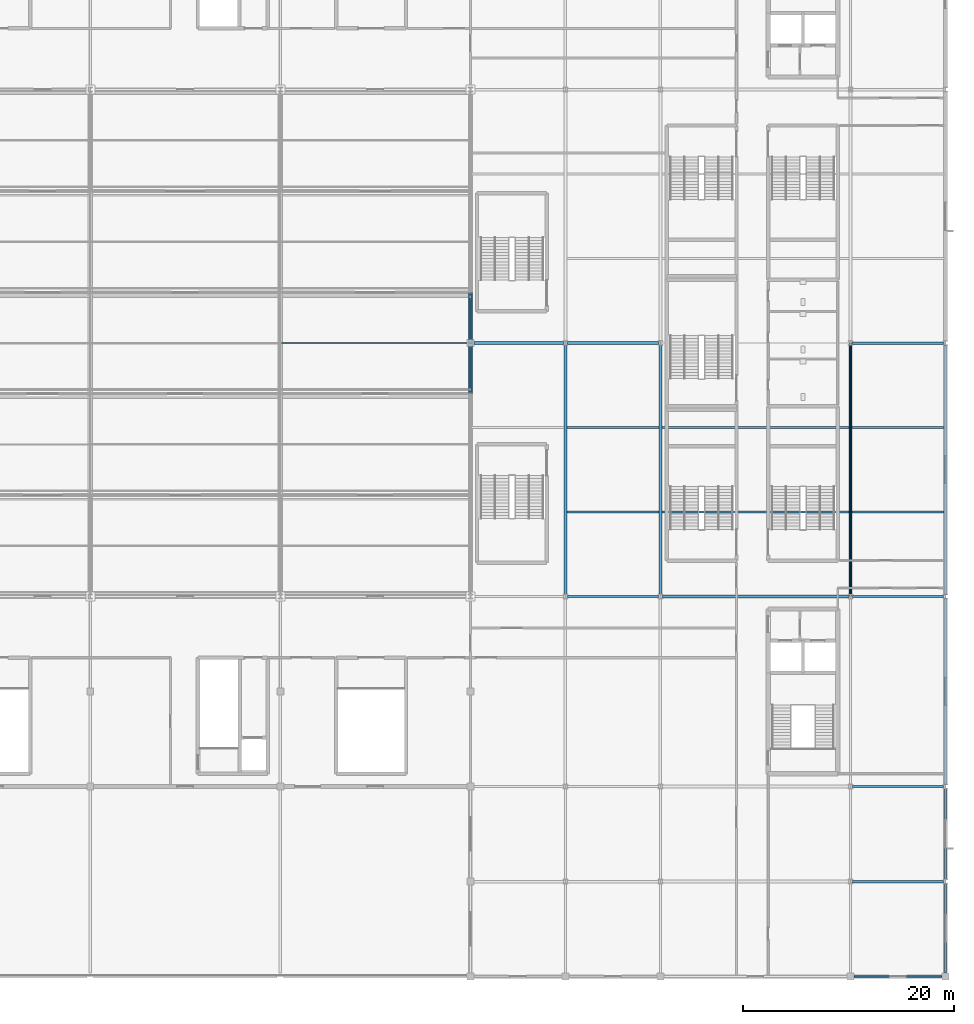
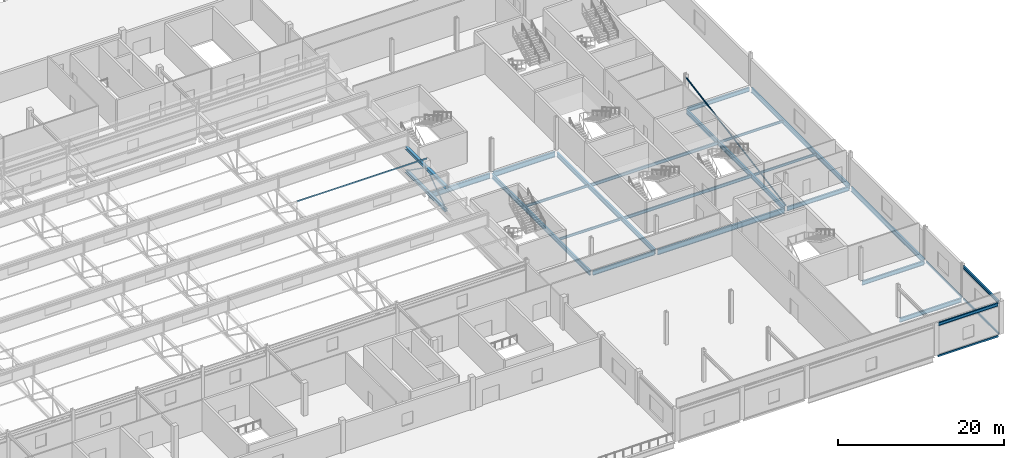
# One storey, part 68 of 136: 28 beams, 4 members.
"""IFC4 building model written with IfcOpenShell, lengths in metres."""

from ifc_helpers import new_model, si_unit, direction, frame, origin, origin_2d, place, context, subcontext, project, spatial, hollow_rectangle, hollow_circle, i_section, u_section, extrude, material, material_profile, profile_set, type_object, element, save


model = new_model("IFC4")

# Units and contexts
model_context = context("Model", 3, precision=1e-05, world=origin(), true_north=direction((0.0, 1.0)))
body_context = subcontext(model_context, "Body", "Model", "MODEL_VIEW")
ifc_project = project(units=[si_unit("LENGTHUNIT", "METRE"), si_unit("AREAUNIT", "SQUARE_METRE"), si_unit("VOLUMEUNIT", "CUBIC_METRE"), si_unit("PLANEANGLEUNIT", "RADIAN"), si_unit("MASSUNIT", "GRAM", prefix="KILO")], contexts=[model_context])

# Site, building, storey
site_placement = place(None, origin())
site = spatial("IfcSite", under=ifc_project, at=site_placement, CompositionType="ELEMENT")
building_placement = place(site_placement, origin())
building = spatial("IfcBuilding", under=site, at=building_placement, Name="Kisiwana Market Hall", CompositionType="ELEMENT")
storey_placement = place(building_placement, frame((0.0, 0.0, 16.800048828125)))
storey = spatial("IfcBuildingStorey", under=building, at=storey_placement, Name="L03", CompositionType="ELEMENT", Elevation=16.800048828125)

# Beams
ifc_material_1 = material(Name="Steel S355", Category="steel")
ifc_material_profile_1 = material_profile(ifc_material_1, i_section(OverallWidth=0.19140625, OverallDepth=0.4599609375, WebThickness=0.010009765625, FlangeThickness=0.01611328125, at=origin_2d()), Name="UB 457x191x82")
ifc_profile_set_1 = profile_set([ifc_material_profile_1], Name="Steel S355")
beam_type_1 = type_object("IfcBeamType", Name="BM-GIRD-UB457H", PredefinedType="BEAM", material=ifc_profile_set_1)
beam_1_placement = place(storey_placement, frame((189.321044921875, 0.0, 4.27783203125), z_axis=(1.0, 0.0, 0.0), x_axis=(0.0, 1.0, 0.0)))
element("IfcBeam", 1, at=beam_1_placement, inside=storey, type_object=beam_type_1, Name="Roof girder B-1122", PredefinedType="BEAM", context=body_context, shape_type="SweptSolid", body=[
    extrude(i_section(OverallWidth=0.19140625, OverallDepth=0.4599609375, WebThickness=0.010009765625, FlangeThickness=0.01611328125, at=origin_2d()), origin(), (0.0, 0.0, 1.0), 8.35791015625),
])
beam_2_placement = place(storey_placement, frame((198.0, 0.321044921875, 4.27783203125), z_axis=(0.0, 1.0, 0.0), x_axis=(-1.0, 0.0, 0.0)))
element("IfcBeam", 2, at=beam_2_placement, inside=storey, type_object=beam_type_1, Name="Roof girder B-1127", PredefinedType="BEAM", context=body_context, shape_type="SweptSolid", body=[
    extrude(i_section(OverallWidth=0.19140625, OverallDepth=0.4599609375, WebThickness=0.010009765625, FlangeThickness=0.01611328125, at=origin_2d()), origin(), (0.0, 0.0, 1.0), 8.486083984375),
])
ifc_material_2 = material(Name="Steel S355", Category="steel")
ifc_material_profile_2 = material_profile(ifc_material_2, i_section(OverallWidth=0.22900390625, OverallDepth=0.6123046875, WebThickness=0.011962890625, FlangeThickness=0.01953125, at=origin_2d()), Name="UB 610x229x125")
ifc_profile_set_2 = profile_set([ifc_material_profile_2], Name="Steel S355")
beam_type_2 = type_object("IfcBeamType", Name="BM-GIRD-UB610H", PredefinedType="BEAM", material=ifc_profile_set_2)
beam_3_placement = place(storey_placement, frame((189.195556640625, 9.0, -0.55615234375), z_axis=(1.0, 0.0, 0.0), x_axis=(0.0, 1.0, 0.0)))
element("IfcBeam", 3, at=beam_3_placement, inside=storey, type_object=beam_type_2, Name="Floor beam B-0992", PredefinedType="BEAM", context=body_context, shape_type="SweptSolid", body=[
    extrude(i_section(OverallWidth=0.22900390625, OverallDepth=0.6123046875, WebThickness=0.011962890625, FlangeThickness=0.01953125, at=origin_2d()), origin(), (0.0, 0.0, 1.0), 8.60888671875),
])
for number, where, z_axis, x_axis, name in (
    (4, (189.198974609375, 18.0, -0.55615234375), (1.0, 0.0, 0.0), (0.0, 1.0, 0.0), "Floor beam B-1006"),
    (5, (162.198974609375, 36.0, -0.55615234375), (1.0, 0.0, 0.0), (0.0, 1.0, 0.0), "Floor beam B-1020"),
    (6, (189.198974609375, 36.0, -0.55615234375), (1.0, 0.0, 0.0), (0.0, 1.0, 0.0), "Floor beam B-1022"),
    (7, (189.198974609375, 60.0, -0.55615234375), (1.0, 0.0, 0.0), (0.0, 1.0, 0.0), "Primary girder B-0852"),
):
    element("IfcBeam", number, at=place(storey_placement, frame(where, z_axis=z_axis, x_axis=x_axis)), inside=storey, type_object=beam_type_2, Name=name, PredefinedType="BEAM", context=body_context, shape_type="SweptSolid", body=[
        extrude(i_section(OverallWidth=0.22900390625, OverallDepth=0.6123046875, WebThickness=0.011962890625, FlangeThickness=0.01953125, at=origin_2d()), origin(), (0.0, 0.0, 1.0), 8.60205078125),
    ])
ifc_material_3 = material(Name="Steel S355", Category="steel")
ifc_material_profile_3 = material_profile(ifc_material_3, i_section(OverallWidth=0.253662109375, OverallDepth=0.68359375, WebThickness=0.012451171875, FlangeThickness=0.01904296875, at=origin_2d()), Name="UB 686x254x140")
ifc_profile_set_3 = profile_set([ifc_material_profile_3], Name="Steel S355")
beam_type_3 = type_object("IfcBeamType", Name="BM-GIRD-UB686", PredefinedType="BEAM", material=ifc_profile_set_3)
beam_4_placement = place(storey_placement, frame((171.0, 36.2041015625, -0.591796875), z_axis=(0.0, 1.0, 0.0), x_axis=(-1.0, 0.0, 0.0)))
element("IfcBeam", 8, at=beam_4_placement, inside=storey, type_object=beam_type_3, Name="Floor beam B-1091", PredefinedType="BEAM", context=body_context, shape_type="SweptSolid", body=[
    extrude(i_section(OverallWidth=0.253662109375, OverallDepth=0.68359375, WebThickness=0.012451171875, FlangeThickness=0.01904296875, at=origin_2d()), origin(), (0.0, 0.0, 1.0), 23.591796875),
])
beam_5_placement = place(storey_placement, frame((198.0, 18.2041015625, -0.591796875), z_axis=(0.0, 1.0, 0.0), x_axis=(-1.0, 0.0, 0.0)))
element("IfcBeam", 9, at=beam_5_placement, inside=storey, type_object=beam_type_3, Name="Floor beam B-1095", PredefinedType="BEAM", context=body_context, shape_type="SweptSolid", body=[
    extrude(i_section(OverallWidth=0.253662109375, OverallDepth=0.68359375, WebThickness=0.012451171875, FlangeThickness=0.01904296875, at=origin_2d()), origin(), (0.0, 0.0, 1.0), 17.591796875),
])
for number, where, z_axis, x_axis, name in (
    (10, (198.0, 36.2041015625, -0.591796875), (0.0, 1.0, 0.0), (-1.0, 0.0, 0.0), "Floor beam B-1096"),
    (11, (162.0, 36.2041015625, -0.591796875), (0.0, 1.0, 0.0), (-1.0, 0.0, 0.0), "Primary girder B-0924"),
    (12, (189.0, 36.2041015625, -0.591796875), (0.0, 1.0, 0.0), (-1.0, 0.0, 0.0), "Primary girder B-0938"),
):
    element("IfcBeam", number, at=place(storey_placement, frame(where, z_axis=z_axis, x_axis=x_axis)), inside=storey, type_object=beam_type_3, Name=name, PredefinedType="BEAM", context=body_context, shape_type="SweptSolid", body=[
        extrude(i_section(OverallWidth=0.253662109375, OverallDepth=0.68359375, WebThickness=0.012451171875, FlangeThickness=0.01904296875, at=origin_2d()), origin(), (0.0, 0.0, 1.0), 23.591796875),
    ])
ifc_material_4 = material(Name="Steel S355", Category="steel")
ifc_material_profile_4 = material_profile(ifc_material_4, i_section(OverallWidth=0.2666015625, OverallDepth=0.76220703125, WebThickness=0.014404296875, FlangeThickness=0.021484375, at=origin_2d()), Name="UB 762x267x173")
ifc_profile_set_4 = profile_set([ifc_material_profile_4], Name="Steel S355")
beam_type_4 = type_object("IfcBeamType", Name="BM-GIRD-UB762", PredefinedType="BEAM", material=ifc_profile_set_4)
beam_6_placement = place(storey_placement, frame((171.198974609375, 36.0, -0.631103515625), z_axis=(1.0, 0.0, 0.0), x_axis=(0.0, 1.0, 0.0)))
element("IfcBeam", 13, at=beam_6_placement, inside=storey, type_object=beam_type_4, Name="Floor beam B-1021", PredefinedType="BEAM", context=body_context, shape_type="SweptSolid", body=[
    extrude(i_section(OverallWidth=0.2666015625, OverallDepth=0.76220703125, WebThickness=0.014404296875, FlangeThickness=0.021484375, at=origin_2d()), origin(), (0.0, 0.0, 1.0), 17.60205078125),
])
beam_7_placement = place(storey_placement, frame((153.321044921875, 60.0, -0.631103515625), z_axis=(1.0, 0.0, 0.0), x_axis=(0.0, 1.0, 0.0)))
element("IfcBeam", 14, at=beam_7_placement, inside=storey, type_object=beam_type_4, Name="Floor beam B-1024", PredefinedType="BEAM", context=body_context, shape_type="SweptSolid", body=[
    extrude(i_section(OverallWidth=0.2666015625, OverallDepth=0.76220703125, WebThickness=0.014404296875, FlangeThickness=0.021484375, at=origin_2d()), origin(), (0.0, 0.0, 1.0), 8.47998046875),
])
beam_8_placement = place(storey_placement, frame((162.198974609375, 60.0, -0.631103515625), z_axis=(1.0, 0.0, 0.0), x_axis=(0.0, 1.0, 0.0)))
element("IfcBeam", 15, at=beam_8_placement, inside=storey, type_object=beam_type_4, Name="Floor beam B-0850", PredefinedType="BEAM", context=body_context, shape_type="SweptSolid", body=[
    extrude(i_section(OverallWidth=0.2666015625, OverallDepth=0.76220703125, WebThickness=0.014404296875, FlangeThickness=0.021484375, at=origin_2d()), origin(), (0.0, 0.0, 1.0), 8.60205078125),
])
ifc_material_5 = material(Name="Steel S355", Category="steel")
ifc_material_profile_5 = material_profile(ifc_material_5, i_section(OverallWidth=0.17138671875, OverallDepth=0.35498046875, WebThickness=0.00732421875, FlangeThickness=0.011474609375, at=origin_2d()), Name="UB 356x171x51")
ifc_profile_set_5 = profile_set([ifc_material_profile_5], Name="Steel S355")
beam_type_5 = type_object("IfcBeamType", Name="BM-JOIST-UB356", PredefinedType="JOIST", material=ifc_profile_set_5)
for number, where, z_axis, x_axis, name in (
    (16, (162.125732421875, 44.0, -0.427490234375), (1.0, 0.0, 0.0), (0.0, 1.0, 0.0), "Secondary floor joist B-0946"),
    (17, (189.125732421875, 44.0, -0.427490234375), (1.0, 0.0, 0.0), (0.0, 1.0, 0.0), "Secondary floor joist B-0948"),
    (18, (162.125732421875, 52.0, -0.427490234375), (1.0, 0.0, 0.0), (0.0, 1.0, 0.0), "Secondary floor joist B-0954"),
    (19, (189.125732421875, 52.0, -0.427490234375), (1.0, 0.0, 0.0), (0.0, 1.0, 0.0), "Secondary floor joist B-0956"),
):
    element("IfcBeam", number, at=place(storey_placement, frame(where, z_axis=z_axis, x_axis=x_axis)), inside=storey, type_object=beam_type_5, Name=name, PredefinedType="JOIST", context=body_context, shape_type="SweptSolid", body=[
        extrude(i_section(OverallWidth=0.17138671875, OverallDepth=0.35498046875, WebThickness=0.00732421875, FlangeThickness=0.011474609375, at=origin_2d()), origin(), (0.0, 0.0, 1.0), 8.74853515625),
    ])
ifc_material_6 = material(Name="Steel S355", Category="steel")
ifc_material_profile_6 = material_profile(ifc_material_6, i_section(OverallWidth=0.18994140625, OverallDepth=0.453369140625, WebThickness=0.008544921875, FlangeThickness=0.0126953125, at=origin_2d()), Name="UB 457x191x67")
ifc_profile_set_6 = profile_set([ifc_material_profile_6], Name="Steel S355")
beam_type_6 = type_object("IfcBeamType", Name="BM-JOIST-UB457", PredefinedType="JOIST", material=ifc_profile_set_6)
for number, where, z_axis, x_axis, name in (
    (20, (171.125732421875, 44.0, -0.476806640625), (1.0, 0.0, 0.0), (0.0, 1.0, 0.0), "Secondary floor joist B-0947"),
    (21, (171.125732421875, 52.0, -0.476806640625), (1.0, 0.0, 0.0), (0.0, 1.0, 0.0), "Secondary floor joist B-0955"),
):
    element("IfcBeam", number, at=place(storey_placement, frame(where, z_axis=z_axis, x_axis=x_axis)), inside=storey, type_object=beam_type_6, Name=name, PredefinedType="JOIST", context=body_context, shape_type="SweptSolid", body=[
        extrude(i_section(OverallWidth=0.18994140625, OverallDepth=0.453369140625, WebThickness=0.008544921875, FlangeThickness=0.0126953125, at=origin_2d()), origin(), (0.0, 0.0, 1.0), 17.74853515625),
    ])
ifc_material_7 = material(Name="Steel S355", Category="steel")
ifc_material_profile_7 = material_profile(ifc_material_7, hollow_rectangle(XDim=0.14990234375, YDim=0.25, WallThickness=0.010009765625, at=origin_2d()), Name="RHS 250x150x10.0")
ifc_profile_set_7 = profile_set([ifc_material_profile_7], Name="Steel S355")
beam_type_7 = type_object("IfcBeamType", Name="BM-SPAN-RHS250", PredefinedType="SPANDREL", material=ifc_profile_set_7)
beam_9_placement = place(storey_placement, frame((189.321044921875, 0.0, -0.375), z_axis=(1.0, 0.0, 0.0), x_axis=(0.0, 1.0, 0.0)))
element("IfcBeam", 22, at=beam_9_placement, inside=storey, type_object=beam_type_7, Name="Floor beam B-0984", PredefinedType="SPANDREL", context=body_context, shape_type="SweptSolid", body=[
    extrude(hollow_rectangle(XDim=0.14990234375, YDim=0.25, WallThickness=0.010009765625, at=origin_2d()), origin(), (0.0, 0.0, 1.0), 8.35791015625),
])
beam_10_placement = place(storey_placement, frame((198.0, 0.321044921875, -0.375), z_axis=(0.0, 1.0, 0.0), x_axis=(-1.0, 0.0, 0.0)))
element("IfcBeam", 23, at=beam_10_placement, inside=storey, type_object=beam_type_7, Name="Floor beam B-1093", PredefinedType="SPANDREL", context=body_context, shape_type="SweptSolid", body=[
    extrude(hollow_rectangle(XDim=0.14990234375, YDim=0.25, WallThickness=0.010009765625, at=origin_2d()), origin(), (0.0, 0.0, 1.0), 8.486083984375),
])
beam_11_placement = place(storey_placement, frame((198.0, 9.19287109375, -0.375), z_axis=(0.0, 1.0, 0.0), x_axis=(-1.0, 0.0, 0.0)))
element("IfcBeam", 24, at=beam_11_placement, inside=storey, type_object=beam_type_7, Name="Floor beam B-1094", PredefinedType="SPANDREL", context=body_context, shape_type="SweptSolid", body=[
    extrude(hollow_rectangle(XDim=0.14990234375, YDim=0.25, WallThickness=0.010009765625, at=origin_2d()), origin(), (0.0, 0.0, 1.0), 8.60302734375),
])
ifc_material_8 = material(Name="Steel S355", Category="steel")
ifc_material_profile_8 = material_profile(ifc_material_8, i_section(OverallWidth=0.394775390625, OverallDepth=0.381103515625, WebThickness=0.018310546875, FlangeThickness=0.0302734375, at=origin_2d()), Name="UC 356x406x235")
ifc_profile_set_8 = profile_set([ifc_material_profile_8], Name="Steel S355")
beam_type_8 = type_object("IfcBeamType", Name="BM-TRUSS-BOT", PredefinedType="USERDEFINED", material=ifc_profile_set_8)
for number, where, z_axis, x_axis, name in (
    (25, (153.0, 55.199951171875, 0.22998046875), (0.0, 1.0, 0.0), (-1.0, 0.0, 0.0), "TR-08 BC panel 5 B-1322"),
    (26, (153.0, 60.0, 0.22998046875), (0.0, 1.0, 0.0), (-1.0, 0.0, 0.0), "TR-08 BC panel 6 B-1323"),
):
    element("IfcBeam", number, at=place(storey_placement, frame(where, z_axis=z_axis, x_axis=x_axis)), inside=storey, type_object=beam_type_8, Name=name, ObjectType="ROOF TRUSS", PredefinedType="USERDEFINED", context=body_context, shape_type="SweptSolid", body=[
        extrude(i_section(OverallWidth=0.394775390625, OverallDepth=0.381103515625, WebThickness=0.018310546875, FlangeThickness=0.0302734375, at=origin_2d()), origin(), (0.0, 0.0, 1.0), 4.800048828125),
    ])
ifc_material_9 = material(Name="Steel S355", Category="steel")
ifc_material_profile_9 = material_profile(ifc_material_9, i_section(OverallWidth=0.39892578125, OverallDepth=0.3935546875, WebThickness=0.022705078125, FlangeThickness=0.03662109375, at=origin_2d()), Name="UC 356x406x287")
ifc_profile_set_9 = profile_set([ifc_material_profile_9], Name="Steel S355")
beam_type_9 = type_object("IfcBeamType", Name="BM-TRUSS-TOP", PredefinedType="USERDEFINED", material=ifc_profile_set_9)
for number, where, z_axis, x_axis, name in (
    (27, (153.0, 55.199951171875, 3.619873046875), (0.0, 1.0, 0.0), (-1.0, 0.0, 0.0), "TR-08 TC panel 5 B-1332"),
    (28, (153.0, 60.0, 3.619873046875), (0.0, 1.0, 0.0), (-1.0, 0.0, 0.0), "TR-08 TC panel 6 B-1333"),
):
    element("IfcBeam", number, at=place(storey_placement, frame(where, z_axis=z_axis, x_axis=x_axis)), inside=storey, type_object=beam_type_9, Name=name, ObjectType="ROOF TRUSS", PredefinedType="USERDEFINED", context=body_context, shape_type="SweptSolid", body=[
        extrude(i_section(OverallWidth=0.39892578125, OverallDepth=0.3935546875, WebThickness=0.022705078125, FlangeThickness=0.03662109375, at=origin_2d()), origin(), (0.0, 0.0, 1.0), 4.800048828125),
    ])

# Members
ifc_material_10 = material(Name="Steel S355", Category="steel")
ifc_material_profile_10 = material_profile(ifc_material_10, hollow_circle(Radius=0.096923828125, WallThickness=0.010009765625, at=origin_2d()), Name="CHS 193.7x10")
ifc_profile_set_10 = profile_set([ifc_material_profile_10], Name="Steel S355")
member_type_1 = type_object("IfcMemberType", Name="MB-CBF-CHS193", PredefinedType="BRACE", material=ifc_profile_set_10)
member_1_placement = place(storey_placement, frame((189.0, 36.0, 0.0), z_axis=(0.0, 0.98464571067, 0.17456467128), x_axis=(-1.0, 0.0, 0.0)))
element("IfcMember", 29, at=member_1_placement, inside=storey, type_object=member_type_1, Name="CBF-POD-E diagonal brace (L03) M-0026", PredefinedType="BRACE", context=body_context, shape_type="SweptSolid", body=[
    extrude(hollow_circle(Radius=0.096923828125, WallThickness=0.010009765625, at=origin_2d()), origin(), (0.0, 0.0, 1.0), 24.374267578125),
])
ifc_material_11 = material(Name="Steel S355", Category="steel")
ifc_material_profile_11 = material_profile(ifc_material_11, u_section(Depth=0.199951171875, FlangeWidth=0.074951171875, WebThickness=0.006103515625, FlangeThickness=0.012451171875, at=origin_2d()), Name="PFC 200x75x23")
ifc_profile_set_11 = profile_set([ifc_material_profile_11], Name="Steel S355")
member_type_2 = type_object("IfcMemberType", Name="MB-PURL-PFC200", PredefinedType="PURLIN", material=ifc_profile_set_11)
member_2_placement = place(storey_placement, frame((135.0, 60.0, 4.936279296875), z_axis=(1.0, 0.0, 0.0), x_axis=(0.0, 1.0, 0.0)))
element("IfcMember", 30, at=member_2_placement, inside=storey, type_object=member_type_2, Name="Sawtooth mid-slope roof purlin 43 M-0111", PredefinedType="PURLIN", context=body_context, shape_type="SweptSolid", body=[
    extrude(u_section(Depth=0.199951171875, FlangeWidth=0.074951171875, WebThickness=0.006103515625, FlangeThickness=0.012451171875, at=origin_2d()), origin(), (0.0, 0.0, 1.0), 18.0),
])
ifc_material_12 = material(Name="Steel S355", Category="steel")
ifc_material_profile_12 = material_profile(ifc_material_12, hollow_circle(Radius=0.084228515625, WallThickness=0.010009765625, at=origin_2d()), Name="CHS 168.3x10.0")
ifc_profile_set_12 = profile_set([ifc_material_profile_12], Name="Steel S355")
member_type_3 = type_object("IfcMemberType", Name="MB-TR-DIAG168", PredefinedType="BRACE", material=ifc_profile_set_12)
for number, where, z_axis, x_axis, name in (
    (31, (153.0, 55.199951171875, 0.22998046875), (0.0, 0.816837735077, 0.576867501732), (-1.0, 0.0, 0.0), "TR-08 diagonal 5 M-0473"),
    (32, (153.0, 60.0, 3.619873046875), (0.0, 0.816837735077, -0.576867501732), (-1.0, 0.0, 0.0), "TR-08 diagonal 6 M-0474"),
):
    element("IfcMember", number, at=place(storey_placement, frame(where, z_axis=z_axis, x_axis=x_axis)), inside=storey, type_object=member_type_3, Name=name, PredefinedType="BRACE", context=body_context, shape_type="SweptSolid", body=[
        extrude(hollow_circle(Radius=0.084228515625, WallThickness=0.010009765625, at=origin_2d()), origin(), (0.0, 0.0, 1.0), 5.87646484375),
    ])

save(model, "model.ifc")
